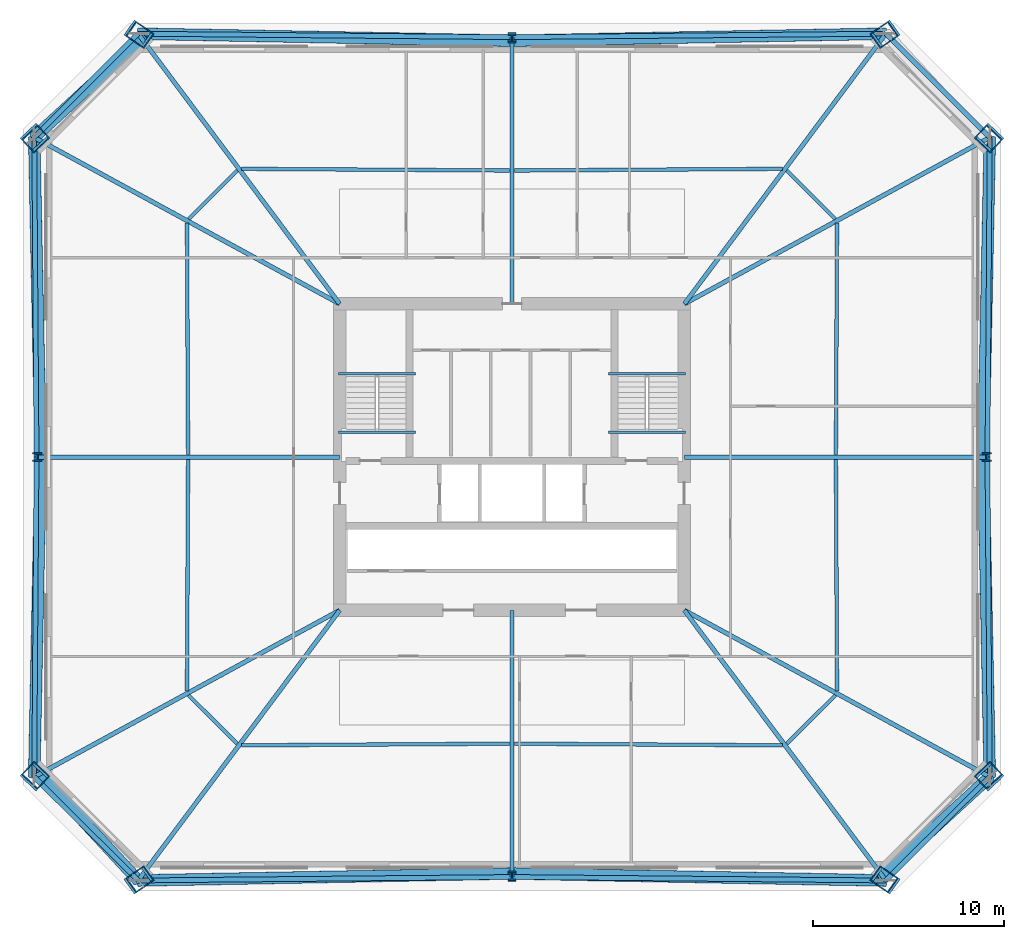
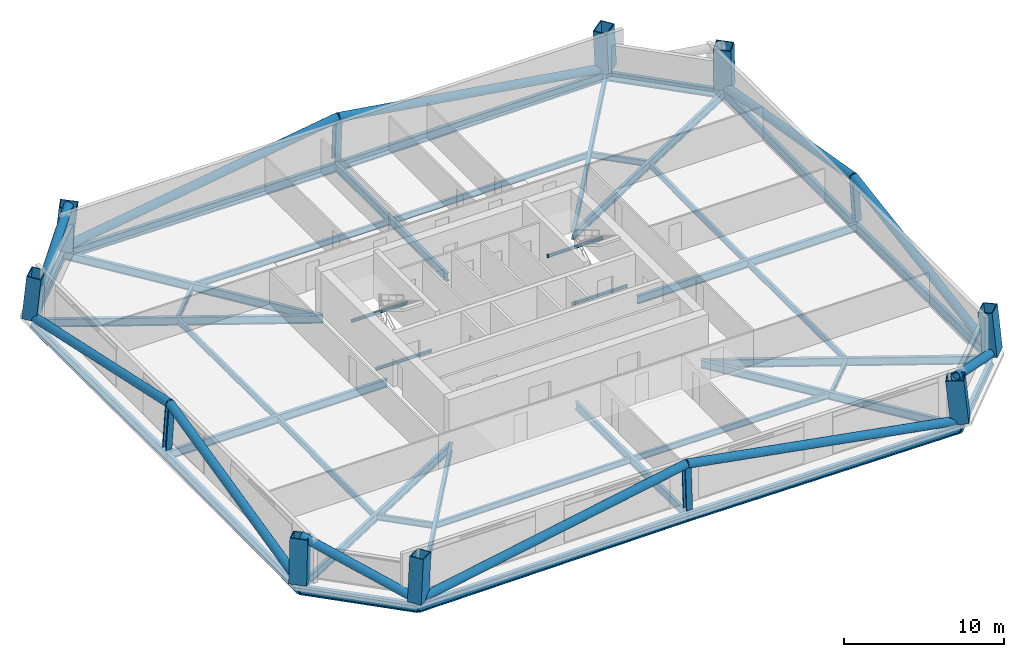
# One storey, part 1 of 9: 40 beams, 12 columns, 11 members.
"""IFC4 building model written with IfcOpenShell, lengths in metres."""

from ifc_helpers import new_model, si_unit, direction, frame, origin, origin_2d, place, context, subcontext, project, spatial, hollow_rectangle, hollow_circle, i_section, extrude, material, material_profile, profile_set, type_object, element, save


model = new_model("IFC4")

# Units and contexts
model_context = context("Model", 3, precision=1e-05, world=origin(), true_north=direction((0.0, 1.0)))
body_context = subcontext(model_context, "Body", "Model", "MODEL_VIEW")
ifc_project = project(units=[si_unit("LENGTHUNIT", "METRE"), si_unit("AREAUNIT", "SQUARE_METRE"), si_unit("VOLUMEUNIT", "CUBIC_METRE"), si_unit("PLANEANGLEUNIT", "RADIAN"), si_unit("MASSUNIT", "GRAM", prefix="KILO")], contexts=[model_context])

# Site, building, storey
site_placement = place(None, origin())
site = spatial("IfcSite", under=ifc_project, at=site_placement, CompositionType="ELEMENT")
building_placement = place(site_placement, origin())
building = spatial("IfcBuilding", under=site, at=building_placement, Name="Caelvoria Tower", CompositionType="ELEMENT")
storey_placement = place(building_placement, frame((0.0, 0.0, 82.0)))
storey = spatial("IfcBuildingStorey", under=building, at=storey_placement, Name="L21", CompositionType="ELEMENT", Elevation=82.0)

# Columns
ifc_material_1 = material(Name="Structural Steel ASTM A913 Gr.65", Category="steel")
ifc_material_profile_1 = material_profile(ifc_material_1, i_section(OverallWidth=0.427978515625, OverallDepth=0.48291015625, WebThickness=0.050537109375, FlangeThickness=0.08154296875, FilletRadius=0.02490234375, at=origin_2d()), Name="Structural Steel ASTM A913 Gr.65")
ifc_profile_set_1 = profile_set([ifc_material_profile_1], Name="W360X677 - Structural Steel ASTM A913 Gr.65")
column_type_1 = type_object("IfcColumnType", Name="Heavy Frame Column W360X677", PredefinedType="COLUMN", material=ifc_profile_set_1)
column_1_placement = place(storey_placement, frame((46.0, 10.070068359375, 0.0), z_axis=(0.0, 0.055844793021, 0.998439461907), x_axis=(-1.0, 0.0, 0.0)))
element("IfcColumn", 1, at=column_1_placement, inside=storey, type_object=column_type_1, Name="Perimeter Megaframe Column L21-P01", PredefinedType="COLUMN", context=body_context, shape_type="SweptSolid", body=[
    extrude(i_section(OverallWidth=0.427978515625, OverallDepth=0.48291015625, WebThickness=0.050537109375, FlangeThickness=0.08154296875, FilletRadius=0.02490234375, at=origin_2d()), origin(), (0.0, 0.0, 1.0), 3.283203125),
])
column_2_placement = place(storey_placement, frame((70.830078125, 32.0, 0.0), z_axis=(-0.06599123705, 0.0, 0.997820202558), x_axis=(0.997820202558, 0.0, 0.06599123705)))
element("IfcColumn", 2, at=column_2_placement, inside=storey, type_object=column_type_1, Name="Perimeter Megaframe Column L21-P04", PredefinedType="COLUMN", context=body_context, shape_type="SweptSolid", body=[
    extrude(i_section(OverallWidth=0.427978515625, OverallDepth=0.48291015625, WebThickness=0.050537109375, FlangeThickness=0.08154296875, FilletRadius=0.02490234375, at=origin_2d()), origin(), (0.0, 0.0, 1.0), 3.28515625),
])
column_3_placement = place(storey_placement, frame((46.0, 53.929931640625, 0.0), z_axis=(0.0, -0.055844793021, 0.998439461907), x_axis=(1.0, 0.0, 0.0)))
element("IfcColumn", 3, at=column_3_placement, inside=storey, type_object=column_type_1, Name="Perimeter Megaframe Column L21-P07", PredefinedType="COLUMN", context=body_context, shape_type="SweptSolid", body=[
    extrude(i_section(OverallWidth=0.427978515625, OverallDepth=0.48291015625, WebThickness=0.050537109375, FlangeThickness=0.08154296875, FilletRadius=0.02490234375, at=origin_2d()), origin(), (0.0, 0.0, 1.0), 3.283203125),
])
column_4_placement = place(storey_placement, frame((21.169921875, 32.0, 0.0), z_axis=(0.06599123705, 0.0, 0.997820202558), x_axis=(-0.997820202558, 0.0, 0.06599123705)))
element("IfcColumn", 4, at=column_4_placement, inside=storey, type_object=column_type_1, Name="Perimeter Megaframe Column L21-P10", PredefinedType="COLUMN", context=body_context, shape_type="SweptSolid", body=[
    extrude(i_section(OverallWidth=0.427978515625, OverallDepth=0.48291015625, WebThickness=0.050537109375, FlangeThickness=0.08154296875, FilletRadius=0.02490234375, at=origin_2d()), origin(), (0.0, 0.0, 1.0), 3.28515625),
])
ifc_material_2 = material(Name="Structural Steel ASTM A572 Gr.50", Category="steel")
ifc_material_profile_2 = material_profile(ifc_material_2, hollow_rectangle(XDim=0.949951171875, YDim=1.14990234375, WallThickness=0.06005859375, at=origin_2d()), Name="Structural Steel ASTM A572 Gr.50")
ifc_profile_set_2 = profile_set([ifc_material_profile_2], Name="BOX1150X950X60 - Structural Steel ASTM A572 Gr.50")
column_type_2 = type_object("IfcColumnType", Name="Mega Box Column 1150x950x60", PredefinedType="COLUMN", material=ifc_profile_set_2)
for number, where, z_axis, x_axis, name in (
    (5, (26.4765625, 9.8896484375, 0.0), (0.080491878848, 0.056033020634, 0.99517905828), (-0.571330166379, 0.82072031837, 0.0), "Perimeter Megaframe Column L21-P00"),
    (6, (65.5234375, 9.8896484375, 0.0), (-0.080491878848, 0.056033020634, 0.99517905828), (-0.571330166379, -0.82072031837, 0.0), "Perimeter Megaframe Column L21-P02"),
):
    element("IfcColumn", number, at=place(storey_placement, frame(where, z_axis=z_axis, x_axis=x_axis)), inside=storey, type_object=column_type_2, Name=name, PredefinedType="COLUMN", context=body_context, shape_type="SweptSolid", body=[
        extrude(hollow_rectangle(XDim=0.949951171875, YDim=1.14990234375, WallThickness=0.06005859375, at=origin_2d()), origin(), (0.0, 0.0, 1.0), 3.2939453125),
    ])
for number, where, z_axis, x_axis, name in (
    (7, (70.95166015625, 15.300537109375, 0.0), (-0.066122964366, 0.070348310744, 0.995328523031), (0.6816861236, -0.725246783964, 0.096546005827), "Perimeter Megaframe Column L21-P03"),
    (8, (70.95166015625, 48.699462890625, 0.0), (-0.066122964366, -0.070348310744, 0.995328523031), (0.6816861236, 0.725246783964, 0.096546005827), "Perimeter Megaframe Column L21-P05"),
):
    element("IfcColumn", number, at=place(storey_placement, frame(where, z_axis=z_axis, x_axis=x_axis)), inside=storey, type_object=column_type_2, Name=name, PredefinedType="COLUMN", context=body_context, shape_type="SweptSolid", body=[
        extrude(hollow_rectangle(XDim=0.949951171875, YDim=1.14990234375, WallThickness=0.06005859375, at=origin_2d()), origin(), (0.0, 0.0, 1.0), 3.29345703125),
    ])
for number, where, z_axis, x_axis, name in (
    (9, (65.5234375, 54.1103515625, 0.0), (-0.080491878848, -0.056033020634, 0.99517905828), (0.571330166379, -0.82072031837, 0.0), "Perimeter Megaframe Column L21-P06"),
    (10, (26.4765625, 54.1103515625, 0.0), (0.080491878848, -0.056033020634, 0.99517905828), (0.571330166379, 0.82072031837, 0.0), "Perimeter Megaframe Column L21-P08"),
):
    element("IfcColumn", number, at=place(storey_placement, frame(where, z_axis=z_axis, x_axis=x_axis)), inside=storey, type_object=column_type_2, Name=name, PredefinedType="COLUMN", context=body_context, shape_type="SweptSolid", body=[
        extrude(hollow_rectangle(XDim=0.949951171875, YDim=1.14990234375, WallThickness=0.06005859375, at=origin_2d()), origin(), (0.0, 0.0, 1.0), 3.2939453125),
    ])
for number, where, z_axis, x_axis, name in (
    (11, (21.04833984375, 48.699462890625, 0.0), (0.066122964366, -0.070348310744, 0.995328523031), (-0.6816861236, 0.725246783964, 0.096546005827), "Perimeter Megaframe Column L21-P09"),
    (12, (21.04833984375, 15.300537109375, 0.0), (0.066122964366, 0.070348310744, 0.995328523031), (-0.6816861236, -0.725246783964, 0.096546005827), "Perimeter Megaframe Column L21-P11"),
):
    element("IfcColumn", number, at=place(storey_placement, frame(where, z_axis=z_axis, x_axis=x_axis)), inside=storey, type_object=column_type_2, Name=name, PredefinedType="COLUMN", context=body_context, shape_type="SweptSolid", body=[
        extrude(hollow_rectangle(XDim=0.949951171875, YDim=1.14990234375, WallThickness=0.06005859375, at=origin_2d()), origin(), (0.0, 0.0, 1.0), 3.29345703125),
    ])

# Beams
ifc_material_3 = material(Name="Structural Steel ASTM A992 Gr.50", Category="steel")
ifc_material_profile_3 = material_profile(ifc_material_3, i_section(OverallWidth=0.134033203125, OverallDepth=0.2099609375, WebThickness=0.00634765625, FlangeThickness=0.01025390625, FilletRadius=0.010009765625, at=origin_2d()), Name="Structural Steel ASTM A992 Gr.50")
ifc_profile_set_3 = profile_set([ifc_material_profile_3], Name="W200X31.3 - Structural Steel ASTM A992 Gr.50")
beam_type_1 = type_object("IfcBeamType", Name="Canopy Edge Trim Beam W200X31.3", PredefinedType="BEAM", material=ifc_profile_set_3)
for number, where, z_axis, x_axis, name in (
    (13, (36.929931640625, 36.35009765625, 1.4951171875), (1.0, 0.0, 0.0), (0.0, 1.0, 0.0), "ST-01 Half-Landing Support Beam L21"),
    (14, (36.929931640625, 33.300048828125, -0.304931640625), (1.0, 0.0, 0.0), (0.0, 1.0, 0.0), "ST-01 Floor-Landing Support Beam L21"),
    (15, (51.030029296875, 36.35009765625, 1.4951171875), (1.0, 0.0, 0.0), (0.0, 1.0, 0.0), "ST-02 Half-Landing Support Beam L21"),
    (16, (51.030029296875, 33.300048828125, -0.304931640625), (1.0, 0.0, 0.0), (0.0, 1.0, 0.0), "ST-02 Floor-Landing Support Beam L21"),
):
    element("IfcBeam", number, at=place(storey_placement, frame(where, z_axis=z_axis, x_axis=x_axis)), inside=storey, type_object=beam_type_1, Name=name, PredefinedType="BEAM", context=body_context, shape_type="SweptSolid", body=[
        extrude(i_section(OverallWidth=0.134033203125, OverallDepth=0.2099609375, WebThickness=0.00634765625, FlangeThickness=0.01025390625, FilletRadius=0.010009765625, at=origin_2d()), origin(), (0.0, 0.0, 1.0), 4.0400390625),
    ])

# Members
ifc_material_profile_4 = material_profile(ifc_material_2, hollow_circle(Radius=0.304931640625, WallThickness=0.02490234375, at=origin_2d()), Name="Structural Steel ASTM A572 Gr.50")
ifc_profile_set_4 = profile_set([ifc_material_profile_4], Name="CHS610X25 - Structural Steel ASTM A572 Gr.50")
member_type = type_object("IfcMemberType", Name="Lower Perimeter Mega Brace CHS610X25", PredefinedType="BRACE", material=ifc_profile_set_4)
for number, where, z_axis, x_axis, name in (
    (17, (70.95166015625, 15.300537109375, 0.0), (-0.678130139804, -0.622501368044, 0.39068089315), (0.676245156989, -0.736676650674, 0.0), "Perimeter Chamfer Mega Brace L21 SE"),
    (18, (21.04833984375, 48.699462890625, 0.0), (0.678130139804, 0.622501368044, 0.39068089315), (-0.676245156989, 0.736676650674, 0.0), "Perimeter Chamfer Mega Brace L21 NW"),
):
    element("IfcMember", number, at=place(storey_placement, frame(where, z_axis=z_axis, x_axis=x_axis)), inside=storey, type_object=member_type, Name=name, PredefinedType="BRACE", context=body_context, shape_type="SweptSolid", body=[
        extrude(hollow_circle(Radius=0.304931640625, WallThickness=0.02490234375, at=origin_2d()), origin(), (0.0, 0.0, 1.0), 8.395751953125),
    ])
member_placement = place(storey_placement, frame((26.4765625, 9.8896484375, 0.0), z_axis=(-0.623900486817, 0.675643709648, 0.392751524711), x_axis=(-0.734679124811, -0.678414757775, 0.0)))
element("IfcMember", 19, at=member_placement, inside=storey, type_object=member_type, Name="Perimeter Chamfer Mega Brace L21 SW", PredefinedType="BRACE", context=body_context, shape_type="SweptSolid", body=[
    extrude(hollow_circle(Radius=0.304931640625, WallThickness=0.02490234375, at=origin_2d()), origin(), (0.0, 0.0, 1.0), 8.351318359375),
])
for number, where, z_axis, x_axis, name in (
    (20, (26.4765625, 9.8896484375, 0.0), (0.98601266469, 0.018371834614, 0.165654763782), (-0.018629219525, 0.999826461032, 0.0), "Perimeter Cardinal Mega Brace L21 SA"),
    (21, (65.5234375, 9.8896484375, 0.0), (-0.98601266469, 0.018371834614, 0.165654763782), (-0.018629219525, -0.999826461032, 0.0), "Perimeter Cardinal Mega Brace L21 SB"),
):
    element("IfcMember", number, at=place(storey_placement, frame(where, z_axis=z_axis, x_axis=x_axis)), inside=storey, type_object=member_type, Name=name, PredefinedType="BRACE", context=body_context, shape_type="SweptSolid", body=[
        extrude(hollow_circle(Radius=0.304931640625, WallThickness=0.02490234375, at=origin_2d()), origin(), (0.0, 0.0, 1.0), 19.80029296875),
    ])
for number, where, z_axis, x_axis, name in (
    (22, (70.95166015625, 15.300537109375, 0.0), (-0.019879030144, 0.981057388825, 0.192694639243), (-0.999794771414, -0.020258703136, 0.0), "Perimeter Cardinal Mega Brace L21 EA"),
    (23, (70.95166015625, 48.699462890625, 0.0), (-0.019879030144, -0.981057388825, 0.192694639243), (0.999794771414, -0.020258703136, 0.0), "Perimeter Cardinal Mega Brace L21 EB"),
):
    element("IfcMember", number, at=place(storey_placement, frame(where, z_axis=z_axis, x_axis=x_axis)), inside=storey, type_object=member_type, Name=name, PredefinedType="BRACE", context=body_context, shape_type="SweptSolid", body=[
        extrude(hollow_circle(Radius=0.304931640625, WallThickness=0.02490234375, at=origin_2d()), origin(), (0.0, 0.0, 1.0), 17.02197265625),
    ])
for number, where, z_axis, x_axis, name in (
    (24, (65.5234375, 54.1103515625, 0.0), (-0.98601266469, -0.018371834614, 0.165654763782), (0.018629219525, -0.999826461032, 0.0), "Perimeter Cardinal Mega Brace L21 NA"),
    (25, (26.4765625, 54.1103515625, 0.0), (0.98601266469, -0.018371834614, 0.165654763782), (0.018629219525, 0.999826461032, 0.0), "Perimeter Cardinal Mega Brace L21 NB"),
):
    element("IfcMember", number, at=place(storey_placement, frame(where, z_axis=z_axis, x_axis=x_axis)), inside=storey, type_object=member_type, Name=name, PredefinedType="BRACE", context=body_context, shape_type="SweptSolid", body=[
        extrude(hollow_circle(Radius=0.304931640625, WallThickness=0.02490234375, at=origin_2d()), origin(), (0.0, 0.0, 1.0), 19.80029296875),
    ])
for number, where, z_axis, x_axis, name in (
    (26, (21.04833984375, 48.699462890625, 0.0), (0.019879030144, -0.981057388825, 0.192694639243), (0.999794771414, 0.020258703136, 0.0), "Perimeter Cardinal Mega Brace L21 WA"),
    (27, (21.04833984375, 15.300537109375, 0.0), (0.019879030144, 0.981057388825, 0.192694639243), (-0.999794771414, 0.020258703136, 0.0), "Perimeter Cardinal Mega Brace L21 WB"),
):
    element("IfcMember", number, at=place(storey_placement, frame(where, z_axis=z_axis, x_axis=x_axis)), inside=storey, type_object=member_type, Name=name, PredefinedType="BRACE", context=body_context, shape_type="SweptSolid", body=[
        extrude(hollow_circle(Radius=0.304931640625, WallThickness=0.02490234375, at=origin_2d()), origin(), (0.0, 0.0, 1.0), 17.02197265625),
    ])

# Beams
ifc_material_profile_5 = material_profile(ifc_material_3, i_section(OverallWidth=0.25390625, OverallDepth=0.68798828125, WebThickness=0.01318359375, FlangeThickness=0.02099609375, FilletRadius=0.01904296875, at=origin_2d()), Name="Structural Steel ASTM A992 Gr.50")
ifc_profile_set_5 = profile_set([ifc_material_profile_5], Name="W690X152 - Structural Steel ASTM A992 Gr.50")
beam_type_2 = type_object("IfcBeamType", Name="Perimeter Spandrel Girder W690X152", PredefinedType="BEAM", material=ifc_profile_set_5)
for number, where, z_axis, x_axis, name in (
    (28, (26.4765625, 9.8896484375, -0.583984375), (0.999957302879, 0.009240801906, 0.0), (-0.009240801906, 0.999957302879, 0.0), "Perimeter Spandrel Girder L21-00"),
    (29, (46.0, 10.070068359375, -0.583984375), (0.999957302879, -0.009240801906, 0.0), (0.009240801906, 0.999957302879, 0.0), "Perimeter Spandrel Girder L21-01"),
):
    element("IfcBeam", number, at=place(storey_placement, frame(where, z_axis=z_axis, x_axis=x_axis)), inside=storey, type_object=beam_type_2, Name=name, PredefinedType="BEAM", context=body_context, shape_type="SweptSolid", body=[
        extrude(i_section(OverallWidth=0.25390625, OverallDepth=0.68798828125, WebThickness=0.01318359375, FlangeThickness=0.02099609375, FilletRadius=0.01904296875, at=origin_2d()), origin(), (0.0, 0.0, 1.0), 19.524169921875),
    ])
beam_1_placement = place(storey_placement, frame((65.5234375, 9.8896484375, -0.583984375), z_axis=(0.708236685765, 0.705975068212, 0.0), x_axis=(-0.705975068212, 0.708236685765, 0.0)))
element("IfcBeam", 30, at=beam_1_placement, inside=storey, type_object=beam_type_2, Name="Perimeter Spandrel Girder L21-02", PredefinedType="BEAM", context=body_context, shape_type="SweptSolid", body=[
    extrude(i_section(OverallWidth=0.25390625, OverallDepth=0.68798828125, WebThickness=0.01318359375, FlangeThickness=0.02099609375, FilletRadius=0.01904296875, at=origin_2d()), origin(), (0.0, 0.0, 1.0), 7.664306640625),
])
for number, where, z_axis, x_axis, name in (
    (31, (70.95166015625, 15.300537109375, -0.583984375), (-0.007280402359, 0.99997349752, 0.0), (-0.99997349752, -0.007280402359, 0.0), "Perimeter Spandrel Girder L21-03"),
    (32, (70.830078125, 32.0, -0.583984375), (0.007280402359, 0.99997349752, 0.0), (-0.99997349752, 0.007280402359, 0.0), "Perimeter Spandrel Girder L21-04"),
):
    element("IfcBeam", number, at=place(storey_placement, frame(where, z_axis=z_axis, x_axis=x_axis)), inside=storey, type_object=beam_type_2, Name=name, PredefinedType="BEAM", context=body_context, shape_type="SweptSolid", body=[
        extrude(i_section(OverallWidth=0.25390625, OverallDepth=0.68798828125, WebThickness=0.01318359375, FlangeThickness=0.02099609375, FilletRadius=0.01904296875, at=origin_2d()), origin(), (0.0, 0.0, 1.0), 16.699951171875),
    ])
beam_2_placement = place(storey_placement, frame((70.95166015625, 48.699462890625, -0.583984375), z_axis=(-0.708236685765, 0.705975068212, 0.0), x_axis=(-0.705975068212, -0.708236685765, 0.0)))
element("IfcBeam", 33, at=beam_2_placement, inside=storey, type_object=beam_type_2, Name="Perimeter Spandrel Girder L21-05", PredefinedType="BEAM", context=body_context, shape_type="SweptSolid", body=[
    extrude(i_section(OverallWidth=0.25390625, OverallDepth=0.68798828125, WebThickness=0.01318359375, FlangeThickness=0.02099609375, FilletRadius=0.01904296875, at=origin_2d()), origin(), (0.0, 0.0, 1.0), 7.664306640625),
])
for number, where, z_axis, x_axis, name in (
    (34, (65.5234375, 54.1103515625, -0.583984375), (-0.999957302879, -0.009240801906, 0.0), (0.009240801906, -0.999957302879, 0.0), "Perimeter Spandrel Girder L21-06"),
    (35, (46.0, 53.929931640625, -0.583984375), (-0.999957302879, 0.009240801906, 0.0), (-0.009240801906, -0.999957302879, 0.0), "Perimeter Spandrel Girder L21-07"),
):
    element("IfcBeam", number, at=place(storey_placement, frame(where, z_axis=z_axis, x_axis=x_axis)), inside=storey, type_object=beam_type_2, Name=name, PredefinedType="BEAM", context=body_context, shape_type="SweptSolid", body=[
        extrude(i_section(OverallWidth=0.25390625, OverallDepth=0.68798828125, WebThickness=0.01318359375, FlangeThickness=0.02099609375, FilletRadius=0.01904296875, at=origin_2d()), origin(), (0.0, 0.0, 1.0), 19.524169921875),
    ])
beam_3_placement = place(storey_placement, frame((26.4765625, 54.1103515625, -0.583984375), z_axis=(-0.708236685765, -0.705975068212, 0.0), x_axis=(0.705975068212, -0.708236685765, 0.0)))
element("IfcBeam", 36, at=beam_3_placement, inside=storey, type_object=beam_type_2, Name="Perimeter Spandrel Girder L21-08", PredefinedType="BEAM", context=body_context, shape_type="SweptSolid", body=[
    extrude(i_section(OverallWidth=0.25390625, OverallDepth=0.68798828125, WebThickness=0.01318359375, FlangeThickness=0.02099609375, FilletRadius=0.01904296875, at=origin_2d()), origin(), (0.0, 0.0, 1.0), 7.664306640625),
])
for number, where, z_axis, x_axis, name in (
    (37, (21.04833984375, 48.699462890625, -0.583984375), (0.007280402359, -0.99997349752, 0.0), (0.99997349752, 0.007280402359, 0.0), "Perimeter Spandrel Girder L21-09"),
    (38, (21.169921875, 32.0, -0.583984375), (-0.007280402359, -0.99997349752, 0.0), (0.99997349752, -0.007280402359, 0.0), "Perimeter Spandrel Girder L21-10"),
):
    element("IfcBeam", number, at=place(storey_placement, frame(where, z_axis=z_axis, x_axis=x_axis)), inside=storey, type_object=beam_type_2, Name=name, PredefinedType="BEAM", context=body_context, shape_type="SweptSolid", body=[
        extrude(i_section(OverallWidth=0.25390625, OverallDepth=0.68798828125, WebThickness=0.01318359375, FlangeThickness=0.02099609375, FilletRadius=0.01904296875, at=origin_2d()), origin(), (0.0, 0.0, 1.0), 16.699951171875),
    ])
beam_4_placement = place(storey_placement, frame((21.04833984375, 15.300537109375, -0.583984375), z_axis=(0.708236685765, -0.705975068212, 0.0), x_axis=(0.705975068212, 0.708236685765, 0.0)))
element("IfcBeam", 39, at=beam_4_placement, inside=storey, type_object=beam_type_2, Name="Perimeter Spandrel Girder L21-11", PredefinedType="BEAM", context=body_context, shape_type="SweptSolid", body=[
    extrude(i_section(OverallWidth=0.25390625, OverallDepth=0.68798828125, WebThickness=0.01318359375, FlangeThickness=0.02099609375, FilletRadius=0.01904296875, at=origin_2d()), origin(), (0.0, 0.0, 1.0), 7.664306640625),
])
ifc_material_profile_6 = material_profile(ifc_material_3, i_section(OverallWidth=0.22900390625, OverallDepth=0.612060546875, WebThickness=0.011962890625, FlangeThickness=0.01953125, FilletRadius=0.01806640625, at=origin_2d()), Name="Structural Steel ASTM A992 Gr.50")
ifc_profile_set_6 = profile_set([ifc_material_profile_6], Name="W610X125 - Structural Steel ASTM A992 Gr.50")
beam_type_3 = type_object("IfcBeamType", Name="Primary Radial Floor Girder W610X125", PredefinedType="BEAM", material=ifc_profile_set_6)
beam_5_placement = place(storey_placement, frame((37.0, 24.0, -0.5458984375), z_axis=(-0.597840798772, -0.801614857225, 0.0), x_axis=(0.801614857225, -0.597840798772, 0.0)))
element("IfcBeam", 40, at=beam_5_placement, inside=storey, type_object=beam_type_3, Name="Primary Floor Girder L21-00", PredefinedType="BEAM", context=body_context, shape_type="SweptSolid", body=[
    extrude(i_section(OverallWidth=0.22900390625, OverallDepth=0.612060546875, WebThickness=0.011962890625, FlangeThickness=0.01953125, FilletRadius=0.01806640625, at=origin_2d()), origin(), (0.0, 0.0, 1.0), 17.602294921875),
])
beam_6_placement = place(storey_placement, frame((46.0, 24.0, -0.5458984375), z_axis=(0.0, -1.0, 0.0), x_axis=(1.0, 0.0, 0.0)))
element("IfcBeam", 41, at=beam_6_placement, inside=storey, type_object=beam_type_3, Name="Primary Floor Girder L21-01", PredefinedType="BEAM", context=body_context, shape_type="SweptSolid", body=[
    extrude(i_section(OverallWidth=0.22900390625, OverallDepth=0.612060546875, WebThickness=0.011962890625, FlangeThickness=0.01953125, FilletRadius=0.01806640625, at=origin_2d()), origin(), (0.0, 0.0, 1.0), 13.929931640625),
])
beam_7_placement = place(storey_placement, frame((55.0, 24.0, -0.5458984375), z_axis=(0.597840798772, -0.801614857225, 0.0), x_axis=(0.801614857225, 0.597840798772, 0.0)))
element("IfcBeam", 42, at=beam_7_placement, inside=storey, type_object=beam_type_3, Name="Primary Floor Girder L21-02", PredefinedType="BEAM", context=body_context, shape_type="SweptSolid", body=[
    extrude(i_section(OverallWidth=0.22900390625, OverallDepth=0.612060546875, WebThickness=0.011962890625, FlangeThickness=0.01953125, FilletRadius=0.01806640625, at=origin_2d()), origin(), (0.0, 0.0, 1.0), 17.602294921875),
])
beam_8_placement = place(storey_placement, frame((55.0, 24.0, -0.5458984375), z_axis=(0.877928948642, -0.478790936774, 0.0), x_axis=(0.478790936774, 0.877928948642, 0.0)))
element("IfcBeam", 43, at=beam_8_placement, inside=storey, type_object=beam_type_3, Name="Primary Floor Girder L21-03", PredefinedType="BEAM", context=body_context, shape_type="SweptSolid", body=[
    extrude(i_section(OverallWidth=0.22900390625, OverallDepth=0.612060546875, WebThickness=0.011962890625, FlangeThickness=0.01953125, FilletRadius=0.01806640625, at=origin_2d()), origin(), (0.0, 0.0, 1.0), 18.169677734375),
])
beam_9_placement = place(storey_placement, frame((55.0, 32.0, -0.5458984375), z_axis=(1.0, 0.0, 0.0), x_axis=(0.0, 1.0, 0.0)))
element("IfcBeam", 44, at=beam_9_placement, inside=storey, type_object=beam_type_3, Name="Primary Floor Girder L21-04", PredefinedType="BEAM", context=body_context, shape_type="SweptSolid", body=[
    extrude(i_section(OverallWidth=0.22900390625, OverallDepth=0.612060546875, WebThickness=0.011962890625, FlangeThickness=0.01953125, FilletRadius=0.01806640625, at=origin_2d()), origin(), (0.0, 0.0, 1.0), 15.830078125),
])
beam_10_placement = place(storey_placement, frame((55.0, 40.0, -0.5458984375), z_axis=(0.877928948642, 0.478790936774, 0.0), x_axis=(-0.478790936774, 0.877928948642, 0.0)))
element("IfcBeam", 45, at=beam_10_placement, inside=storey, type_object=beam_type_3, Name="Primary Floor Girder L21-05", PredefinedType="BEAM", context=body_context, shape_type="SweptSolid", body=[
    extrude(i_section(OverallWidth=0.22900390625, OverallDepth=0.612060546875, WebThickness=0.011962890625, FlangeThickness=0.01953125, FilletRadius=0.01806640625, at=origin_2d()), origin(), (0.0, 0.0, 1.0), 18.169677734375),
])
beam_11_placement = place(storey_placement, frame((55.0, 40.0, -0.5458984375), z_axis=(0.597840798772, 0.801614857225, 0.0), x_axis=(-0.801614857225, 0.597840798772, 0.0)))
element("IfcBeam", 46, at=beam_11_placement, inside=storey, type_object=beam_type_3, Name="Primary Floor Girder L21-06", PredefinedType="BEAM", context=body_context, shape_type="SweptSolid", body=[
    extrude(i_section(OverallWidth=0.22900390625, OverallDepth=0.612060546875, WebThickness=0.011962890625, FlangeThickness=0.01953125, FilletRadius=0.01806640625, at=origin_2d()), origin(), (0.0, 0.0, 1.0), 17.602294921875),
])
beam_12_placement = place(storey_placement, frame((46.0, 40.0, -0.5458984375), z_axis=(0.0, 1.0, 0.0), x_axis=(-1.0, 0.0, 0.0)))
element("IfcBeam", 47, at=beam_12_placement, inside=storey, type_object=beam_type_3, Name="Primary Floor Girder L21-07", PredefinedType="BEAM", context=body_context, shape_type="SweptSolid", body=[
    extrude(i_section(OverallWidth=0.22900390625, OverallDepth=0.612060546875, WebThickness=0.011962890625, FlangeThickness=0.01953125, FilletRadius=0.01806640625, at=origin_2d()), origin(), (0.0, 0.0, 1.0), 13.929931640625),
])
beam_13_placement = place(storey_placement, frame((37.0, 40.0, -0.5458984375), z_axis=(-0.597840798772, 0.801614857225, 0.0), x_axis=(-0.801614857225, -0.597840798772, 0.0)))
element("IfcBeam", 48, at=beam_13_placement, inside=storey, type_object=beam_type_3, Name="Primary Floor Girder L21-08", PredefinedType="BEAM", context=body_context, shape_type="SweptSolid", body=[
    extrude(i_section(OverallWidth=0.22900390625, OverallDepth=0.612060546875, WebThickness=0.011962890625, FlangeThickness=0.01953125, FilletRadius=0.01806640625, at=origin_2d()), origin(), (0.0, 0.0, 1.0), 17.602294921875),
])
beam_14_placement = place(storey_placement, frame((37.0, 40.0, -0.5458984375), z_axis=(-0.877928948642, 0.478790936774, 0.0), x_axis=(-0.478790936774, -0.877928948642, 0.0)))
element("IfcBeam", 49, at=beam_14_placement, inside=storey, type_object=beam_type_3, Name="Primary Floor Girder L21-09", PredefinedType="BEAM", context=body_context, shape_type="SweptSolid", body=[
    extrude(i_section(OverallWidth=0.22900390625, OverallDepth=0.612060546875, WebThickness=0.011962890625, FlangeThickness=0.01953125, FilletRadius=0.01806640625, at=origin_2d()), origin(), (0.0, 0.0, 1.0), 18.169677734375),
])
beam_15_placement = place(storey_placement, frame((37.0, 32.0, -0.5458984375), z_axis=(-1.0, 0.0, 0.0), x_axis=(0.0, -1.0, 0.0)))
element("IfcBeam", 50, at=beam_15_placement, inside=storey, type_object=beam_type_3, Name="Primary Floor Girder L21-10", PredefinedType="BEAM", context=body_context, shape_type="SweptSolid", body=[
    extrude(i_section(OverallWidth=0.22900390625, OverallDepth=0.612060546875, WebThickness=0.011962890625, FlangeThickness=0.01953125, FilletRadius=0.01806640625, at=origin_2d()), origin(), (0.0, 0.0, 1.0), 15.830078125),
])
beam_16_placement = place(storey_placement, frame((37.0, 24.0, -0.5458984375), z_axis=(-0.877928948642, -0.478790936774, 0.0), x_axis=(0.478790936774, -0.877928948642, 0.0)))
element("IfcBeam", 51, at=beam_16_placement, inside=storey, type_object=beam_type_3, Name="Primary Floor Girder L21-11", PredefinedType="BEAM", context=body_context, shape_type="SweptSolid", body=[
    extrude(i_section(OverallWidth=0.22900390625, OverallDepth=0.612060546875, WebThickness=0.011962890625, FlangeThickness=0.01953125, FilletRadius=0.01806640625, at=origin_2d()), origin(), (0.0, 0.0, 1.0), 18.169677734375),
])
ifc_material_profile_7 = material_profile(ifc_material_3, i_section(OverallWidth=0.18994140625, OverallDepth=0.45703125, WebThickness=0.009033203125, FlangeThickness=0.014404296875, FilletRadius=0.014892578125, at=origin_2d()), Name="Structural Steel ASTM A992 Gr.50")
ifc_profile_set_7 = profile_set([ifc_material_profile_7], Name="W460X74 - Structural Steel ASTM A992 Gr.50")
beam_type_4 = type_object("IfcBeamType", Name="Secondary Floor Beam W460X74", PredefinedType="BEAM", material=ifc_profile_set_7)
for number, where, z_axis, x_axis, name in (
    (52, (31.86328125, 16.945556640625, -0.468505859375), (0.999979998273, 0.006324796825, 0.0), (-0.006324796825, 0.999979998273, 0.0), "Secondary Floor Beam L21-00"),
    (53, (46.125, 17.0341796875, -0.468505859375), (0.999979998273, -0.006324796825, 0.0), (0.006324796825, 0.999979998273, 0.0), "Secondary Floor Beam L21-01"),
):
    element("IfcBeam", number, at=place(storey_placement, frame(where, z_axis=z_axis, x_axis=x_axis)), inside=storey, type_object=beam_type_4, Name=name, PredefinedType="BEAM", context=body_context, shape_type="SweptSolid", body=[
        extrude(i_section(OverallWidth=0.18994140625, OverallDepth=0.45703125, WebThickness=0.009033203125, FlangeThickness=0.014404296875, FilletRadius=0.014892578125, at=origin_2d()), origin(), (0.0, 0.0, 1.0), 14.011962890625),
    ])
beam_17_placement = place(storey_placement, frame((60.35009765625, 17.032958984375, -0.468505859375), z_axis=(0.708230386798, 0.705981387302, 0.0), x_axis=(-0.705981387302, 0.708230386798, 0.0)))
element("IfcBeam", 54, at=beam_17_placement, inside=storey, type_object=beam_type_4, Name="Secondary Floor Beam L21-02", PredefinedType="BEAM", context=body_context, shape_type="SweptSolid", body=[
    extrude(i_section(OverallWidth=0.18994140625, OverallDepth=0.45703125, WebThickness=0.009033203125, FlangeThickness=0.014404296875, FilletRadius=0.014892578125, at=origin_2d()), origin(), (0.0, 0.0, 1.0), 3.582275390625),
])
for number, where, z_axis, x_axis, name in (
    (55, (62.97509765625, 19.775146484375, -0.468505859375), (-0.00492316626, 0.999987881144, 0.0), (-0.999987881144, -0.00492316626, 0.0), "Secondary Floor Beam L21-03"),
    (56, (62.91552734375, 32.125, -0.468505859375), (0.00492316626, 0.999987881144, 0.0), (-0.999987881144, 0.00492316626, 0.0), "Secondary Floor Beam L21-04"),
):
    element("IfcBeam", number, at=place(storey_placement, frame(where, z_axis=z_axis, x_axis=x_axis)), inside=storey, type_object=beam_type_4, Name=name, PredefinedType="BEAM", context=body_context, shape_type="SweptSolid", body=[
        extrude(i_section(OverallWidth=0.18994140625, OverallDepth=0.45703125, WebThickness=0.009033203125, FlangeThickness=0.014404296875, FilletRadius=0.014892578125, at=origin_2d()), origin(), (0.0, 0.0, 1.0), 12.10009765625),
    ])
beam_18_placement = place(storey_placement, frame((62.88720703125, 44.43798828125, -0.468505859375), z_axis=(-0.70826446319, 0.705947200704, 0.0), x_axis=(-0.705947200704, -0.70826446319, 0.0)))
element("IfcBeam", 57, at=beam_18_placement, inside=storey, type_object=beam_type_4, Name="Secondary Floor Beam L21-05", PredefinedType="BEAM", context=body_context, shape_type="SweptSolid", body=[
    extrude(i_section(OverallWidth=0.18994140625, OverallDepth=0.45703125, WebThickness=0.009033203125, FlangeThickness=0.014404296875, FilletRadius=0.014892578125, at=origin_2d()), origin(), (0.0, 0.0, 1.0), 3.58203125),
])
for number, where, z_axis, x_axis, name in (
    (58, (60.13671875, 47.05419921875, -0.468505859375), (-0.99998010832, -0.006307373836, 0.0), (0.006307373836, -0.99998010832, 0.0), "Secondary Floor Beam L21-06"),
    (59, (45.875, 46.9658203125, -0.468505859375), (-0.99998010832, 0.006307373836, 0.0), (-0.006307373836, -0.99998010832, 0.0), "Secondary Floor Beam L21-07"),
):
    element("IfcBeam", number, at=place(storey_placement, frame(where, z_axis=z_axis, x_axis=x_axis)), inside=storey, type_object=beam_type_4, Name=name, PredefinedType="BEAM", context=body_context, shape_type="SweptSolid", body=[
        extrude(i_section(OverallWidth=0.18994140625, OverallDepth=0.45703125, WebThickness=0.009033203125, FlangeThickness=0.014404296875, FilletRadius=0.014892578125, at=origin_2d()), origin(), (0.0, 0.0, 1.0), 14.011962890625),
    ])
beam_19_placement = place(storey_placement, frame((31.64990234375, 46.966796875, -0.468505859375), z_axis=(-0.70826446319, -0.705947200704, 0.0), x_axis=(0.705947200704, -0.70826446319, 0.0)))
element("IfcBeam", 60, at=beam_19_placement, inside=storey, type_object=beam_type_4, Name="Secondary Floor Beam L21-08", PredefinedType="BEAM", context=body_context, shape_type="SweptSolid", body=[
    extrude(i_section(OverallWidth=0.18994140625, OverallDepth=0.45703125, WebThickness=0.009033203125, FlangeThickness=0.014404296875, FilletRadius=0.014892578125, at=origin_2d()), origin(), (0.0, 0.0, 1.0), 3.58203125),
])
for number, where, z_axis, x_axis, name in (
    (61, (29.02490234375, 44.224853515625, -0.468505859375), (0.00492316626, -0.999987881144, 0.0), (0.999987881144, 0.00492316626, 0.0), "Secondary Floor Beam L21-09"),
    (62, (29.08447265625, 31.875, -0.468505859375), (-0.00492316626, -0.999987881144, 0.0), (0.999987881144, -0.00492316626, 0.0), "Secondary Floor Beam L21-10"),
):
    element("IfcBeam", number, at=place(storey_placement, frame(where, z_axis=z_axis, x_axis=x_axis)), inside=storey, type_object=beam_type_4, Name=name, PredefinedType="BEAM", context=body_context, shape_type="SweptSolid", body=[
        extrude(i_section(OverallWidth=0.18994140625, OverallDepth=0.45703125, WebThickness=0.009033203125, FlangeThickness=0.014404296875, FilletRadius=0.014892578125, at=origin_2d()), origin(), (0.0, 0.0, 1.0), 12.10009765625),
    ])
beam_20_placement = place(storey_placement, frame((29.11279296875, 19.56201171875, -0.468505859375), z_axis=(0.708230386798, -0.705981387302, 0.0), x_axis=(0.705981387302, 0.708230386798, 0.0)))
element("IfcBeam", 63, at=beam_20_placement, inside=storey, type_object=beam_type_4, Name="Secondary Floor Beam L21-11", PredefinedType="BEAM", context=body_context, shape_type="SweptSolid", body=[
    extrude(i_section(OverallWidth=0.18994140625, OverallDepth=0.45703125, WebThickness=0.009033203125, FlangeThickness=0.014404296875, FilletRadius=0.014892578125, at=origin_2d()), origin(), (0.0, 0.0, 1.0), 3.582275390625),
])

save(model, "model.ifc")
